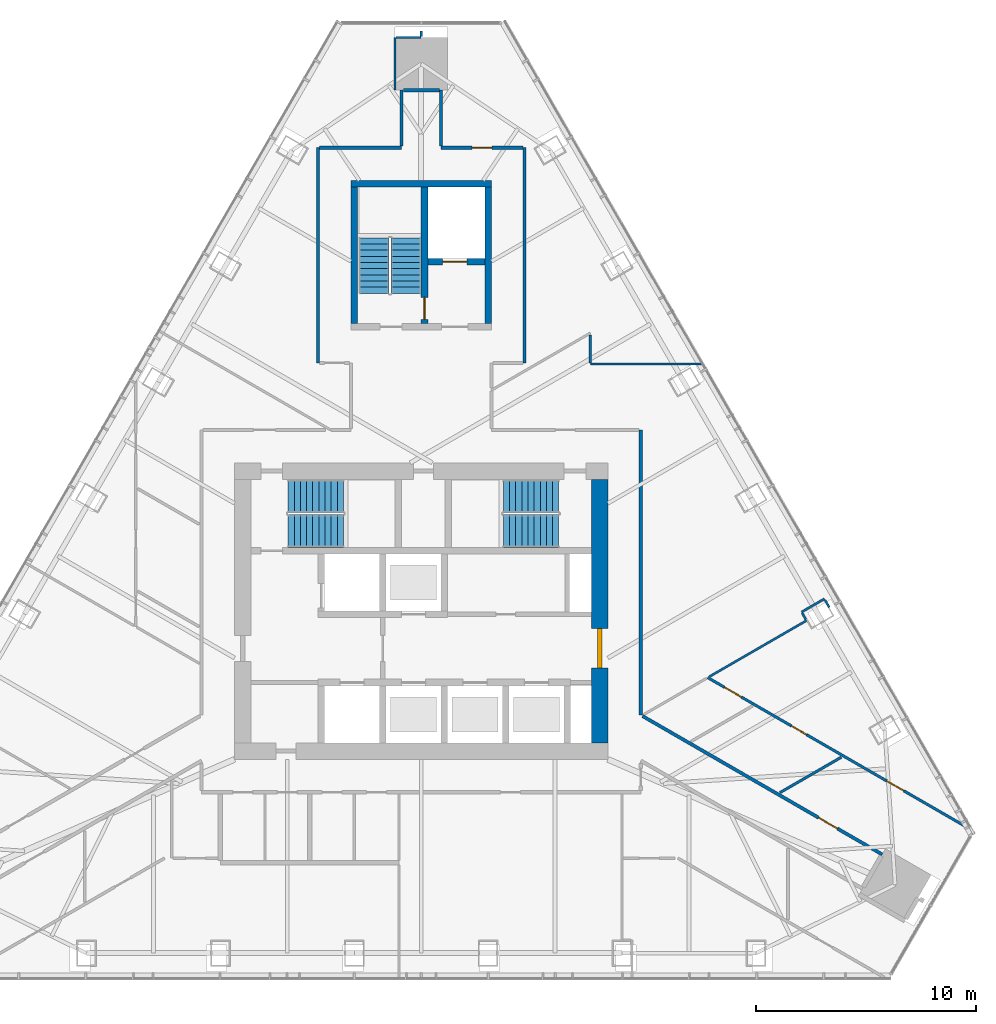
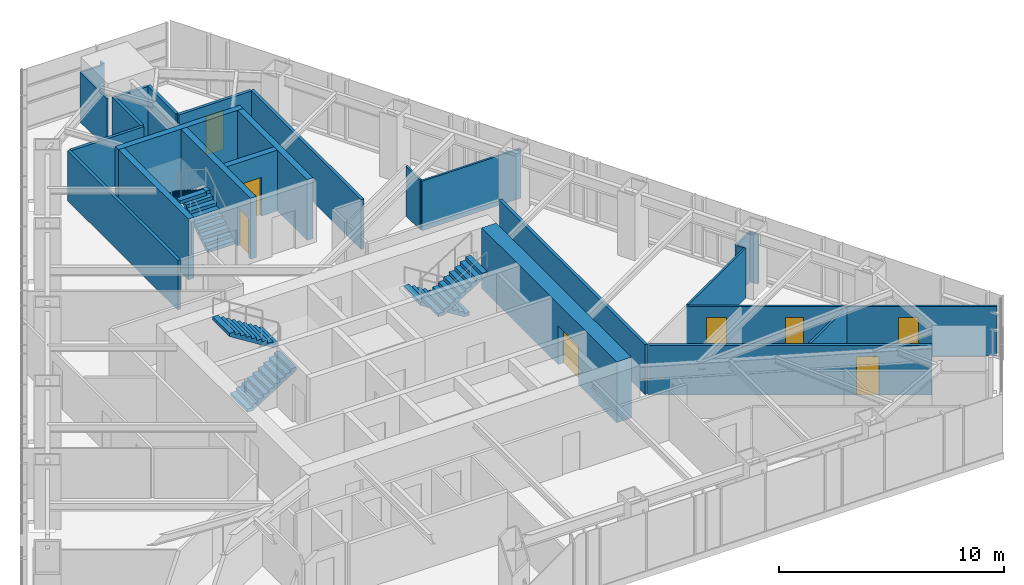
# One storey, part 16 of 18: 26 walls, 8 doors, 6 stair flights, 8 openings, 3 elements without a shape of their own.
"""IFC4 building model written with IfcOpenShell, lengths in metres."""

from ifc_helpers import new_model, si_unit, direction, frame, frame_2d, origin, place, context, subcontext, project, spatial, polyline, rectangle, outline, extrude, material, layer, layer_set, type_object, element, fill, aggregate, save


model = new_model("IFC4")

# Units and contexts
model_context = context("Model", 3, precision=1e-05, world=origin(), true_north=direction((0.0, 1.0)))
body_context = subcontext(model_context, "Body", "Model", "MODEL_VIEW")
ifc_project = project(units=[si_unit("LENGTHUNIT", "METRE"), si_unit("AREAUNIT", "SQUARE_METRE"), si_unit("VOLUMEUNIT", "CUBIC_METRE"), si_unit("PLANEANGLEUNIT", "RADIAN"), si_unit("MASSUNIT", "GRAM", prefix="KILO")], contexts=[model_context])

# Site, building, storey
site_placement = place(None, origin())
site = spatial("IfcSite", under=ifc_project, at=site_placement, CompositionType="ELEMENT")
building_placement = place(site_placement, origin())
building = spatial("IfcBuilding", under=site, at=building_placement, Name="Firuza Gate Tower and Library", CompositionType="ELEMENT")
storey_placement = place(building_placement, frame((0.0, 0.0, 298.60009765625)))
storey = spatial("IfcBuildingStorey", under=building, at=storey_placement, Name="L72", CompositionType="ELEMENT", Elevation=298.60009765625)

# Walls
ifc_material_1 = material(Name="Concrete C60/75", Category="concrete")
ifc_layer_1 = layer(ifc_material_1, 0.300048828125)
ifc_layer_set_1 = layer_set([ifc_layer_1], Name="Core wall 300 C60/75")
wall_type_1 = type_object("IfcWallType", Name="Core wall 300 C60/75", PredefinedType="SHEAR", material=ifc_layer_set_1)
wall_1_placement = place(storey_placement, frame((71.800048828125, 94.449951171875, 0.0), z_axis=(0.0, 0.0, 1.0), x_axis=(1.0, 0.0, 0.0)))
element("IfcWall", 1, at=wall_1_placement, inside=storey, type_object=wall_type_1, Name="Core wall L72 19", PredefinedType="SHEAR", context=body_context, shape_type="SweptSolid", body=[
    extrude(rectangle(XDim=6.39990234375, YDim=0.300048828125, at=frame_2d((3.199951171875, 0.0))), origin(), (0.0, 0.0, 1.0), 3.2998046875),
])
for number, where, z_axis, x_axis, name in (
    (2, (71.949951171875, 88.10009765625, 0.0), (0.0, 0.0, 1.0), (0.0, 1.0, 0.0), "Core wall L72 20"),
    (3, (78.050048828125, 88.10009765625, 0.0), (0.0, 0.0, 1.0), (0.0, 1.0, 0.0), "Core wall L72 21"),
):
    element("IfcWall", number, at=place(storey_placement, frame(where, z_axis=z_axis, x_axis=x_axis)), inside=storey, type_object=wall_type_1, Name=name, PredefinedType="SHEAR", context=body_context, shape_type="SweptSolid", body=[
        extrude(rectangle(XDim=6.199951171875, YDim=0.300048828125, at=frame_2d((3.10009765625, 0.0))), origin(), (0.0, 0.0, 1.0), 3.2998046875),
    ])

# Wall, opening, door
wall_2_placement = place(storey_placement, frame((75.300048828125, 90.89990234375, 0.0), z_axis=(0.0, 0.0, 1.0), x_axis=(1.0, 0.0, 0.0)))
wall_2 = element("IfcWall", 4, at=wall_2_placement, inside=storey, type_object=wall_type_1, Name="Core wall L72 22", PredefinedType="SHEAR", context=body_context, shape_type="SweptSolid", body=[
    extrude(rectangle(XDim=2.599853515625, YDim=0.300048828125, at=frame_2d((1.2998046875, 0.0))), origin(), (0.0, 0.0, 1.0), 3.2998046875),
])
opening_1_placement = place(wall_2_placement, frame((0.675048828125, 0.0, 0.0)))
opening_1 = element("IfcOpeningElement", 5, at=opening_1_placement, cuts=wall_2, Name="Opening LD-SV1-L72", PredefinedType="OPENING", context=body_context, shape_type="SweptSolid", body=[
    extrude(rectangle(XDim=1.10009765625, YDim=2.10009765625, at=frame_2d((0.550048828125, 1.050048828125))), frame((0.0, 0.16015625, 0.0), z_axis=(0.0, -1.0, 0.0), x_axis=(1.0, 0.0, 0.0)), (0.0, 0.0, 1.0), 0.320068359375),
])
ifc_material_2 = material(Name="Stainless steel", Category="steel")
door_type_1 = type_object("IfcDoorType", Name="Lift landing door 1100x2100", OperationType="DOUBLE_DOOR_SLIDING", PredefinedType="DOOR", material=ifc_material_2)
door_1_placement = place(opening_1_placement, origin())
door_1 = element("IfcDoor", 6, at=door_1_placement, inside=storey, type_object=door_type_1, Name="Landing door SV1 L72", OperationType="DOUBLE_DOOR_SLIDING", OverallHeight=2.10009765625, OverallWidth=1.10009765625, PredefinedType="DOOR", context=body_context, shape_type="SweptSolid", body=[
    extrude(rectangle(XDim=1.10009765625, YDim=2.10009765625, at=frame_2d((0.550048828125, 1.050048828125))), frame((0.0, 0.02490234375, 0.0), z_axis=(0.0, -1.0, 0.0), x_axis=(1.0, 0.0, 0.0)), (0.0, 0.0, 1.0), 0.050048828125),
])
fill(opening_1, door_1)

wall_3_placement = place(storey_placement, frame((75.14990234375, 88.10009765625, 0.0), z_axis=(0.0, 0.0, 1.0), x_axis=(0.0, 1.0, 0.0)))
wall_3 = element("IfcWall", 7, at=wall_3_placement, inside=storey, type_object=wall_type_1, Name="Core wall L72 23", PredefinedType="SHEAR", context=body_context, shape_type="SweptSolid", body=[
    extrude(rectangle(XDim=6.199951171875, YDim=0.300048828125, at=frame_2d((3.10009765625, 0.0))), origin(), (0.0, 0.0, 1.0), 3.2998046875),
])
opening_2_placement = place(wall_3_placement, frame((0.18505859375, 0.0, 0.0)))
opening_2 = element("IfcOpeningElement", 8, at=opening_2_placement, cuts=wall_3, Name="Opening L72-K12", PredefinedType="OPENING", context=body_context, shape_type="SweptSolid", body=[
    extrude(rectangle(XDim=1.0, YDim=2.10009765625, at=frame_2d((0.5, 1.050048828125))), frame((0.0, 0.16015625, 0.0), z_axis=(0.0, -1.0, 0.0), x_axis=(1.0, 0.0, 0.0)), (0.0, 0.0, 1.0), 0.320068359375),
])
ifc_material_3 = material(Name="Steel", Category="steel")
door_type_2 = type_object("IfcDoorType", Name="Fire door 1000x2100 FD90", OperationType="NOTDEFINED", PredefinedType="DOOR", material=ifc_material_3)
door_2_placement = place(opening_2_placement, origin())
door_2 = element("IfcDoor", 9, at=door_2_placement, inside=storey, type_object=door_type_2, Name="Door L72-K12", OperationType="SINGLE_SWING_LEFT", OverallHeight=2.10009765625, OverallWidth=1.0, PredefinedType="DOOR", context=body_context, shape_type="SweptSolid", body=[
    extrude(rectangle(XDim=1.0, YDim=2.10009765625, at=frame_2d((0.5, 1.050048828125))), frame((0.0, 0.02490234375, 0.0), z_axis=(0.0, -1.0, 0.0), x_axis=(1.0, 0.0, 0.0)), (0.0, 0.0, 1.0), 0.050048828125),
])
fill(opening_2, door_2)

ifc_material_4 = material(Name="Concrete C60/75", Category="concrete")
ifc_layer_2 = layer(ifc_material_4, 0.75)
ifc_layer_set_2 = layer_set([ifc_layer_2], Name="Core wall 750 C60/75")
wall_type_2 = type_object("IfcWallType", Name="Core wall 750 C60/75", PredefinedType="SHEAR", material=ifc_layer_set_2)
wall_4_placement = place(storey_placement, frame((83.125, 69.0, 0.0), z_axis=(0.0, 0.0, 1.0), x_axis=(0.0, 1.0, 0.0)))
wall_4 = element("IfcWall", 10, at=wall_4_placement, inside=storey, type_object=wall_type_2, Name="Core wall L72 4", PredefinedType="SHEAR", context=body_context, shape_type="SweptSolid", body=[
    extrude(rectangle(XDim=12.0, YDim=0.75, at=frame_2d((6.0, 0.0))), origin(), (0.0, 0.0, 1.0), 3.2998046875),
])
opening_3_placement = place(wall_4_placement, frame((3.39990234375, 0.0, 0.0)))
opening_3 = element("IfcOpeningElement", 11, at=opening_3_placement, cuts=wall_4, Name="Opening L72-K16", PredefinedType="OPENING", context=body_context, shape_type="SweptSolid", body=[
    extrude(rectangle(XDim=1.800048828125, YDim=2.10009765625, at=frame_2d((0.89990234375, 1.050048828125))), frame((0.0, 0.385009765625, 0.0), z_axis=(0.0, -1.0, 0.0), x_axis=(1.0, 0.0, 0.0)), (0.0, 0.0, 1.0), 0.77001953125),
])
ifc_material_5 = material(Name="Steel", Category="steel")
door_type_3 = type_object("IfcDoorType", Name="Fire door 1800x2100 FD30S", OperationType="NOTDEFINED", PredefinedType="DOOR", material=ifc_material_5)
door_3_placement = place(opening_3_placement, origin())
door_3 = element("IfcDoor", 12, at=door_3_placement, inside=storey, type_object=door_type_3, Name="Door L72-K16", OperationType="SINGLE_SWING_LEFT", OverallHeight=2.10009765625, OverallWidth=1.800048828125, PredefinedType="DOOR", context=body_context, shape_type="SweptSolid", body=[
    extrude(rectangle(XDim=1.800048828125, YDim=2.10009765625, at=frame_2d((0.89990234375, 1.050048828125))), frame((0.0, 0.094970703125, 0.0), z_axis=(0.0, -1.0, 0.0), x_axis=(1.0, 0.0, 0.0)), (0.0, 0.0, 1.0), 0.18994140625),
])
fill(opening_3, door_3)

# Wall
ifc_material_6 = material(Name="Gypsum board partition")
ifc_layer_3 = layer(ifc_material_6, 0.14990234375)
ifc_layer_set_3 = layer_set([ifc_layer_3], Name="Corridor wall 150 double board on steel studs")
wall_type_3 = type_object("IfcWallType", Name="Corridor wall 150 double board on steel studs", PredefinedType="PARTITIONING", material=ifc_layer_set_3)
wall_5_placement = place(storey_placement, frame((70.376953125, 96.10009765625, 0.0), z_axis=(0.0, 0.0, 1.0), x_axis=(1.0, 0.0, 0.0)))
element("IfcWall", 13, at=wall_5_placement, inside=storey, type_object=wall_type_3, Name="f:L72:w010", PredefinedType="PARTITIONING", context=body_context, shape_type="SweptSolid", body=[
    extrude(rectangle(XDim=3.722900390625, YDim=0.14990234375, at=frame_2d((1.861328125, 0.0))), origin(), (0.0, 0.0, 1.0), 2.699951171875),
])

# Wall, opening, door
wall_6_placement = place(storey_placement, frame((79.62451171875, 96.10009765625, 0.0), z_axis=(0.0, 0.0, 1.0), x_axis=(-1.0, 0.0, 0.0)))
wall_6 = element("IfcWall", 14, at=wall_6_placement, inside=storey, type_object=wall_type_3, Name="f:L72:w011", PredefinedType="PARTITIONING", context=body_context, shape_type="SweptSolid", body=[
    extrude(rectangle(XDim=3.724365234375, YDim=0.14990234375, at=frame_2d((1.8623046875, 0.0))), origin(), (0.0, 0.0, 1.0), 2.699951171875),
])
opening_4_placement = place(wall_6_placement, frame((1.412109375, 0.0, 0.0)))
opening_4 = element("IfcOpeningElement", 15, at=opening_4_placement, cuts=wall_6, Name="Opening L72-11", PredefinedType="OPENING", context=body_context, shape_type="SweptSolid", body=[
    extrude(rectangle(XDim=0.89990234375, YDim=2.10009765625, at=frame_2d((0.449951171875, 1.050048828125))), frame((0.0, 0.0849609375, 0.0), z_axis=(0.0, -1.0, 0.0), x_axis=(1.0, 0.0, 0.0)), (0.0, 0.0, 1.0), 0.169921875),
])
ifc_material_7 = material(Name="Steel door and timber leaf", Category="steel")
door_type_4 = type_object("IfcDoorType", Name="Fire door 900 x 2100 steel frame, timber leaf", OperationType="NOTDEFINED", PredefinedType="DOOR", material=ifc_material_7)
door_4_placement = place(opening_4_placement, origin())
door_4 = element("IfcDoor", 16, at=door_4_placement, inside=storey, type_object=door_type_4, Name="f:L72:d011", OperationType="SINGLE_SWING_LEFT", OverallHeight=2.10009765625, OverallWidth=0.89990234375, PredefinedType="DOOR", context=body_context, shape_type="SweptSolid", body=[
    extrude(rectangle(XDim=0.89990234375, YDim=2.10009765625, at=frame_2d((0.449951171875, 1.050048828125))), frame((0.0, 0.02490234375, 0.0), z_axis=(0.0, -1.0, 0.0), x_axis=(1.0, 0.0, 0.0)), (0.0, 0.0, 1.0), 0.050048828125),
])
fill(opening_4, door_4)

# Walls
wall_7_placement = place(storey_placement, frame((74.18212890625, 98.715087890625, 0.0), z_axis=(0.0, 0.0, 1.0), x_axis=(1.0, 0.0, 0.0)))
element("IfcWall", 17, at=wall_7_placement, inside=storey, type_object=wall_type_3, Name="f:L72:w012", PredefinedType="PARTITIONING", context=body_context, shape_type="SweptSolid", body=[
    extrude(rectangle(XDim=1.642333984375, YDim=0.14990234375, at=frame_2d((0.8212890625, 0.0))), origin(), (0.0, 0.0, 1.0), 2.697021484375),
])
wall_8_placement = place(storey_placement, frame((85.0, 70.265869140625, 0.0), z_axis=(0.0, 0.0, 1.0), x_axis=(0.0, 1.0, 0.0)))
element("IfcWall", 18, at=wall_8_placement, inside=storey, type_object=wall_type_3, Name="f:L72:w029", PredefinedType="PARTITIONING", context=body_context, shape_type="SweptSolid", body=[
    extrude(rectangle(XDim=12.982177734375, YDim=0.14990234375, at=frame_2d((6.4912109375, 0.0))), origin(), (0.0, 0.0, 1.0), 2.699951171875),
])
wall_9_placement = place(storey_placement, frame((79.699951171875, 86.300537109375, 0.0), z_axis=(0.0, 0.0, 1.0), x_axis=(0.0, 1.0, 0.0)))
element("IfcWall", 19, at=wall_9_placement, inside=storey, type_object=wall_type_3, Name="f:L72:w033", PredefinedType="PARTITIONING", context=body_context, shape_type="SweptSolid", body=[
    extrude(rectangle(XDim=9.798828125, YDim=0.14990234375, at=frame_2d((4.8994140625, 0.0))), origin(), (0.0, 0.0, 1.0), 2.699951171875),
])
wall_10_placement = place(storey_placement, frame((75.89990234375, 96.175048828125, 0.0), z_axis=(0.0, 0.0, 1.0), x_axis=(0.0, 1.0, 0.0)))
element("IfcWall", 20, at=wall_10_placement, inside=storey, type_object=wall_type_3, Name="f:L72:w035", PredefinedType="PARTITIONING", context=body_context, shape_type="SweptSolid", body=[
    extrude(rectangle(XDim=2.53955078125, YDim=0.14990234375, at=frame_2d((1.269775390625, 0.0))), origin(), (0.0, 0.0, 1.0), 2.699951171875),
])
wall_11_placement = place(storey_placement, frame((74.10009765625, 96.175048828125, 0.0), z_axis=(0.0, 0.0, 1.0), x_axis=(0.0, 1.0, 0.0)))
element("IfcWall", 21, at=wall_11_placement, inside=storey, type_object=wall_type_3, Name="f:L72:w037", PredefinedType="PARTITIONING", context=body_context, shape_type="SweptSolid", body=[
    extrude(rectangle(XDim=2.5400390625, YDim=0.14990234375, at=frame_2d((1.27001953125, 0.0))), origin(), (0.0, 0.0, 1.0), 2.699951171875),
])
wall_12_placement = place(storey_placement, frame((70.300048828125, 86.302001953125, 0.0), z_axis=(0.0, 0.0, 1.0), x_axis=(0.0, 1.0, 0.0)))
element("IfcWall", 22, at=wall_12_placement, inside=storey, type_object=wall_type_3, Name="f:L72:w042", PredefinedType="PARTITIONING", context=body_context, shape_type="SweptSolid", body=[
    extrude(rectangle(XDim=9.7958984375, YDim=0.14990234375, at=frame_2d((4.89794921875, 0.0))), origin(), (0.0, 0.0, 1.0), 2.699951171875),
])

# Wall, opening, door
wall_13_placement = place(storey_placement, frame((85.0751953125, 70.222412109375, 0.0), z_axis=(0.0, 0.0, 1.0), x_axis=(0.866023935413, -0.500002543286, 0.0)))
wall_13 = element("IfcWall", 23, at=wall_13_placement, inside=storey, type_object=wall_type_3, Name="f:L72:w057", PredefinedType="PARTITIONING", context=body_context, shape_type="SweptSolid", body=[
    extrude(rectangle(XDim=12.6005859375, YDim=0.14990234375, at=frame_2d((6.30029296875, 0.0))), origin(), (0.0, 0.0, 1.0), 2.699951171875),
])
opening_5_placement = place(wall_13_placement, frame((9.24853515625, 0.0, 0.0)))
opening_5 = element("IfcOpeningElement", 24, at=opening_5_placement, cuts=wall_13, Name="Opening L72-24", PredefinedType="OPENING", context=body_context, shape_type="SweptSolid", body=[
    extrude(rectangle(XDim=1.0, YDim=2.10009765625, at=frame_2d((0.5, 1.050048828125))), frame((0.0, 0.0849609375, 0.0), z_axis=(0.0, -1.0, 0.0), x_axis=(1.0, 0.0, 0.0)), (0.0, 0.0, 1.0), 0.169921875),
])
ifc_material_8 = material(Name="Steel door and timber leaf", Category="steel")
door_type_5 = type_object("IfcDoorType", Name="Fire door 1000 x 2100 steel frame, timber leaf", OperationType="NOTDEFINED", PredefinedType="DOOR", material=ifc_material_8)
door_5_placement = place(opening_5_placement, origin())
door_5 = element("IfcDoor", 25, at=door_5_placement, inside=storey, type_object=door_type_5, Name="f:L72:d024", OperationType="SINGLE_SWING_RIGHT", OverallHeight=2.10009765625, OverallWidth=1.0, PredefinedType="DOOR", context=body_context, shape_type="SweptSolid", body=[
    extrude(rectangle(XDim=1.0, YDim=2.10009765625, at=frame_2d((0.5, 1.050048828125))), frame((0.0, 0.02490234375, 0.0), z_axis=(0.0, -1.0, 0.0), x_axis=(1.0, 0.0, 0.0)), (0.0, 0.0, 1.0), 0.050048828125),
])
fill(opening_5, door_5)

# Walls
ifc_material_9 = material(Name="Gypsum board partition")
ifc_layer_4 = layer(ifc_material_9, 0.10009765625)
ifc_layer_set_4 = layer_set([ifc_layer_4], Name="Partition 100 gypsum board on steel studs")
wall_type_4 = type_object("IfcWallType", Name="Partition 100 gypsum board on steel studs", PredefinedType="PARTITIONING", material=ifc_layer_set_4)
wall_14_placement = place(storey_placement, frame((82.701904296875, 86.25, 0.0), z_axis=(0.0, 0.0, 1.0), x_axis=(1.0, 0.0, 0.0)))
element("IfcWall", 26, at=wall_14_placement, inside=storey, type_object=wall_type_4, Name="f:L72:w007", PredefinedType="PARTITIONING", context=body_context, shape_type="SweptSolid", body=[
    extrude(rectangle(XDim=5.057861328125, YDim=0.10009765625, at=frame_2d((2.52880859375, 0.0))), origin(), (0.0, 0.0, 1.0), 2.68798828125),
])
wall_15_placement = place(storey_placement, frame((73.85205078125, 101.114990234375, 0.0), z_axis=(0.0, 0.0, 1.0), x_axis=(1.0, 0.0, 0.0)))
element("IfcWall", 27, at=wall_15_placement, inside=storey, type_object=wall_type_4, Name="f:L72:w013", PredefinedType="PARTITIONING", context=body_context, shape_type="SweptSolid", body=[
    extrude(rectangle(XDim=1.14794921875, YDim=0.10009765625, at=frame_2d((0.573974609375, 0.0))), origin(), (0.0, 0.0, 1.0), 2.699951171875),
])
wall_16_placement = place(storey_placement, frame((92.317626953125, 74.95947265625, 0.0), z_axis=(0.0, 0.0, 1.0), x_axis=(0.866087020037, 0.499893262331, 0.0)))
element("IfcWall", 28, at=wall_16_placement, inside=storey, type_object=wall_type_4, Name="f:L72:w017", PredefinedType="PARTITIONING", context=body_context, shape_type="SweptSolid", body=[
    extrude(rectangle(XDim=1.196044921875, YDim=0.10009765625, at=frame_2d((0.59814453125, 0.0))), origin(), (0.0, 0.0, 1.0), 2.68798828125),
])
wall_17_placement = place(storey_placement, frame((82.699951171875, 86.302001953125, 0.0), z_axis=(0.0, 0.0, 1.0), x_axis=(0.0, 1.0, 0.0)))
element("IfcWall", 29, at=wall_17_placement, inside=storey, type_object=wall_type_4, Name="f:L72:w032", PredefinedType="PARTITIONING", context=body_context, shape_type="SweptSolid", body=[
    extrude(rectangle(XDim=1.26708984375, YDim=0.10009765625, at=frame_2d((0.633544921875, 0.0))), origin(), (0.0, 0.0, 1.0), 2.699951171875),
])
wall_18_placement = place(storey_placement, frame((75.0, 101.165283203125, 0.0), z_axis=(0.0, 0.0, 1.0), x_axis=(0.0, 1.0, 0.0)))
element("IfcWall", 30, at=wall_18_placement, inside=storey, type_object=wall_type_4, Name="f:L72:w036", PredefinedType="PARTITIONING", context=body_context, shape_type="SweptSolid", body=[
    extrude(rectangle(XDim=0.249755859375, YDim=0.10009765625, at=frame_2d((0.125, 0.0))), origin(), (0.0, 0.0, 1.0), 2.699951171875),
])
wall_19_placement = place(storey_placement, frame((73.800048828125, 98.71728515625, 0.0), z_axis=(0.0, 0.0, 1.0), x_axis=(0.0, 1.0, 0.0)))
element("IfcWall", 31, at=wall_19_placement, inside=storey, type_object=wall_type_4, Name="f:L72:w039", PredefinedType="PARTITIONING", context=body_context, shape_type="SweptSolid", body=[
    extrude(rectangle(XDim=2.395751953125, YDim=0.10009765625, at=frame_2d((1.19775390625, 0.0))), origin(), (0.0, 0.0, 1.0), 2.699951171875),
])
wall_20_placement = place(storey_placement, frame((93.580078125, 75.168701171875, 0.0), z_axis=(0.0, 0.0, 1.0), x_axis=(-0.500153222552, 0.865936922628, 0.0)))
element("IfcWall", 32, at=wall_20_placement, inside=storey, type_object=wall_type_4, Name="f:L72:w051", PredefinedType="PARTITIONING", context=body_context, shape_type="SweptSolid", body=[
    extrude(rectangle(XDim=0.392578125, YDim=0.10009765625, at=frame_2d((0.1962890625, 0.0))), origin(), (0.0, 0.0, 1.0), 2.699951171875),
])
wall_21_placement = place(storey_placement, frame((92.5107421875, 74.62060546875, 0.0), z_axis=(0.0, 0.0, 1.0), x_axis=(-0.499868360126, 0.866101392762, 0.0)))
element("IfcWall", 33, at=wall_21_placement, inside=storey, type_object=wall_type_4, Name="f:L72:w052", PredefinedType="PARTITIONING", context=body_context, shape_type="SweptSolid", body=[
    extrude(rectangle(XDim=0.337890625, YDim=0.10009765625, at=frame_2d((0.1689453125, 0.0))), origin(), (0.0, 0.0, 1.0), 2.699951171875),
])
wall_22_placement = place(storey_placement, frame((88.12890625, 72.021484375, 0.0), z_axis=(0.0, 0.0, 1.0), x_axis=(0.866010809447, 0.500025277282, 0.0)))
element("IfcWall", 34, at=wall_22_placement, inside=storey, type_object=wall_type_4, Name="f:L72:w069", PredefinedType="PARTITIONING", context=body_context, shape_type="SweptSolid", body=[
    extrude(rectangle(XDim=5.094482421875, YDim=0.10009765625, at=frame_2d((2.54736328125, 0.0))), origin(), (0.0, 0.0, 1.0), 2.699951171875),
])
ifc_material_10 = material(Name="Gypsum board partition")
ifc_layer_5 = layer(ifc_material_10, 0.1201171875)
ifc_layer_set_5 = layer_set([ifc_layer_5], Name="Wet-area partition 120 moisture-resistant board")
wall_type_5 = type_object("IfcWallType", Name="Wet-area partition 120 moisture-resistant board", PredefinedType="PARTITIONING", material=ifc_layer_set_5)
wall_23_placement = place(storey_placement, frame((91.333251953125, 66.735595703125, 0.0), z_axis=(0.0, 0.0, 1.0), x_axis=(0.86605210011, 0.499953757757, 0.0)))
element("IfcWall", 35, at=wall_23_placement, inside=storey, type_object=wall_type_5, Name="f:L72:w014", PredefinedType="PARTITIONING", context=body_context, shape_type="SweptSolid", body=[
    extrude(rectangle(XDim=3.228271484375, YDim=0.1201171875, at=frame_2d((1.6142578125, 0.0))), origin(), (0.0, 0.0, 1.0), 2.699951171875),
])

# Wall, openings, doors
wall_24_placement = place(storey_placement, frame((99.982421875, 65.079833984375, 0.0), z_axis=(0.0, 0.0, 1.0), x_axis=(-0.86602868724, 0.499994312846, 0.0)))
wall_24 = element("IfcWall", 36, at=wall_24_placement, inside=storey, type_object=wall_type_5, Name="f:L72:w056", PredefinedType="PARTITIONING", context=body_context, shape_type="SweptSolid", body=[
    extrude(rectangle(XDim=13.785400390625, YDim=0.1201171875, at=frame_2d((6.892578125, 0.0))), origin(), (0.0, 0.0, 1.0), 2.699951171875),
])
opening_6_placement = place(wall_24_placement, frame((3.4765625, 0.0, 0.0)))
opening_6 = element("IfcOpeningElement", 37, at=opening_6_placement, cuts=wall_24, Name="Opening L72-21", PredefinedType="OPENING", context=body_context, shape_type="SweptSolid", body=[
    extrude(rectangle(XDim=0.89990234375, YDim=2.10009765625, at=frame_2d((0.449951171875, 1.050048828125))), frame((0.0, 0.070068359375, 0.0), z_axis=(0.0, -1.0, 0.0), x_axis=(1.0, 0.0, 0.0)), (0.0, 0.0, 1.0), 0.14013671875),
])
opening_7_placement = place(wall_24_placement, frame((8.5830078125, 0.0, 0.0)))
opening_7 = element("IfcOpeningElement", 38, at=opening_7_placement, cuts=wall_24, Name="Opening L72-22", PredefinedType="OPENING", context=body_context, shape_type="SweptSolid", body=[
    extrude(rectangle(XDim=0.800048828125, YDim=2.10009765625, at=frame_2d((0.39990234375, 1.050048828125))), frame((0.0, 0.070068359375, 0.0), z_axis=(0.0, -1.0, 0.0), x_axis=(1.0, 0.0, 0.0)), (0.0, 0.0, 1.0), 0.14013671875),
])
opening_8_placement = place(wall_24_placement, frame((12.000732421875, 0.0, 0.0)))
opening_8 = element("IfcOpeningElement", 39, at=opening_8_placement, cuts=wall_24, Name="Opening L72-23", PredefinedType="OPENING", context=body_context, shape_type="SweptSolid", body=[
    extrude(rectangle(XDim=0.89990234375, YDim=2.10009765625, at=frame_2d((0.449951171875, 1.050048828125))), frame((0.0, 0.070068359375, 0.0), z_axis=(0.0, -1.0, 0.0), x_axis=(1.0, 0.0, 0.0)), (0.0, 0.0, 1.0), 0.14013671875),
])
ifc_material_11 = material(Name="Timber door", Category="wood")
door_type_6 = type_object("IfcDoorType", Name="Door 800 x 2100 timber leaf", OperationType="NOTDEFINED", PredefinedType="DOOR", material=ifc_material_11)
door_6_placement = place(opening_7_placement, origin())
door_6 = element("IfcDoor", 40, at=door_6_placement, inside=storey, type_object=door_type_6, Name="f:L72:d022", OperationType="SINGLE_SWING_RIGHT", OverallHeight=2.10009765625, OverallWidth=0.800048828125, PredefinedType="DOOR", context=body_context, shape_type="SweptSolid", body=[
    extrude(rectangle(XDim=0.800048828125, YDim=2.10009765625, at=frame_2d((0.39990234375, 1.050048828125))), frame((0.0, 0.02490234375, 0.0), z_axis=(0.0, -1.0, 0.0), x_axis=(1.0, 0.0, 0.0)), (0.0, 0.0, 1.0), 0.050048828125),
])
fill(opening_7, door_6)
ifc_material_12 = material(Name="Timber door", Category="wood")
door_type_7 = type_object("IfcDoorType", Name="Door 900 x 2100 timber leaf", OperationType="NOTDEFINED", PredefinedType="DOOR", material=ifc_material_12)
door_7_placement = place(opening_6_placement, origin())
door_7 = element("IfcDoor", 41, at=door_7_placement, inside=storey, type_object=door_type_7, Name="f:L72:d021", OperationType="SINGLE_SWING_RIGHT", OverallHeight=2.10009765625, OverallWidth=0.89990234375, PredefinedType="DOOR", context=body_context, shape_type="SweptSolid", body=[
    extrude(rectangle(XDim=0.89990234375, YDim=2.10009765625, at=frame_2d((0.449951171875, 1.050048828125))), frame((0.0, 0.02490234375, 0.0), z_axis=(0.0, -1.0, 0.0), x_axis=(1.0, 0.0, 0.0)), (0.0, 0.0, 1.0), 0.050048828125),
])
fill(opening_6, door_7)
door_8_placement = place(opening_8_placement, origin())
door_8 = element("IfcDoor", 42, at=door_8_placement, inside=storey, type_object=door_type_7, Name="f:L72:d023", OperationType="SINGLE_SWING_LEFT", OverallHeight=2.10009765625, OverallWidth=0.89990234375, PredefinedType="DOOR", context=body_context, shape_type="SweptSolid", body=[
    extrude(rectangle(XDim=0.89990234375, YDim=2.10009765625, at=frame_2d((0.449951171875, 1.050048828125))), frame((0.0, 0.02490234375, 0.0), z_axis=(0.0, -1.0, 0.0), x_axis=(1.0, 0.0, 0.0)), (0.0, 0.0, 1.0), 0.050048828125),
])
fill(opening_8, door_8)

# Stair, stair flights
ifc_material_13 = material(Name="Concrete C35/45", Category="concrete")
stair_type_1 = type_object("IfcStairType", Name="Exit stair ST17", PredefinedType="HALF_TURN_STAIR", material=ifc_material_13)
placement = place(storey_placement, origin())
stair_1 = element("IfcStair", 43, at=placement, inside=storey, type_object=stair_type_1, Name="L72 Stair ST3", PredefinedType="HALF_TURN_STAIR")
ifc_material_14 = material(Name="Concrete C35/45", Category="concrete")
stair_flight_type_1 = type_object("IfcStairFlightType", Name="Stair flight 10 risers 175 width 1370", PredefinedType="STRAIGHT", material=ifc_material_14)
stair_flight_1_placement = place(storey_placement, frame((74.31494140625, 89.469970703125, 0.0), z_axis=(0.0, 0.0, 1.0), x_axis=(0.0, 1.0, 0.0)))
stair_flight_1 = element("IfcStairFlight", 44, at=stair_flight_1_placement, type_object=stair_flight_type_1, Name="ST3 flight 1", NumberOfRisers=10, NumberOfTreads=9, PredefinedType="STRAIGHT", RiserHeight=0.175, TreadLength=0.28, context=body_context, shape_type="SweptSolid", body=[
    extrude(outline(polyline([(0.0, 0.0), (0.0, 0.175048828125), (0.280029296875, 0.175048828125), (0.280029296875, 0.35009765625), (0.56005859375, 0.35009765625), (0.56005859375, 0.52490234375), (0.840087890625, 0.52490234375), (0.840087890625, 0.699951171875), (1.1201171875, 0.699951171875), (1.1201171875, 0.875), (1.39990234375, 0.875), (1.39990234375, 1.050048828125), (1.679931640625, 1.050048828125), (1.679931640625, 1.22509765625), (1.9599609375, 1.22509765625), (1.9599609375, 1.39990234375), (2.239990234375, 1.39990234375), (2.239990234375, 1.574951171875), (2.52001953125, 1.574951171875), (2.52001953125, 1.75), (2.52001953125, 1.398193359375), (0.28271484375, 0.0), (0.0, 0.0)])), frame((0.0, 0.68505859375, 0.0), z_axis=(0.0, -1.0, 0.0), x_axis=(1.0, 0.0, 0.0)), (0.0, 0.0, 1.0), 1.3701171875),
])
stair_flight_2_placement = place(storey_placement, frame((72.844970703125, 91.989990234375, 1.75), z_axis=(0.0, 0.0, 1.0), x_axis=(0.0, -1.0, 0.0)))
stair_flight_2 = element("IfcStairFlight", 45, at=stair_flight_2_placement, type_object=stair_flight_type_1, Name="ST3 flight 2", NumberOfRisers=10, NumberOfTreads=9, PredefinedType="STRAIGHT", RiserHeight=0.175, TreadLength=0.28, context=body_context, shape_type="SweptSolid", body=[
    extrude(outline(polyline([(0.0, 0.0), (0.0, 0.175048828125), (0.280029296875, 0.175048828125), (0.280029296875, 0.35009765625), (0.56005859375, 0.35009765625), (0.56005859375, 0.52490234375), (0.840087890625, 0.52490234375), (0.840087890625, 0.699951171875), (1.1201171875, 0.699951171875), (1.1201171875, 0.875), (1.39990234375, 0.875), (1.39990234375, 1.050048828125), (1.679931640625, 1.050048828125), (1.679931640625, 1.22509765625), (1.9599609375, 1.22509765625), (1.9599609375, 1.39990234375), (2.239990234375, 1.39990234375), (2.239990234375, 1.574951171875), (2.52001953125, 1.574951171875), (2.52001953125, 1.75), (2.52001953125, 1.398193359375), (0.28271484375, 0.0), (0.0, 0.0)])), frame((0.0, 0.68505859375, 0.0), z_axis=(0.0, -1.0, 0.0), x_axis=(1.0, 0.0, 0.0)), (0.0, 0.0, 1.0), 1.3701171875),
])
aggregate(stair_1, [stair_flight_1, stair_flight_2])

ifc_material_15 = material(Name="Concrete C35/45", Category="concrete")
stair_type_2 = type_object("IfcStairType", Name="Exit stair ST8", PredefinedType="HALF_TURN_STAIR", material=ifc_material_15)
stair_2 = element("IfcStair", 46, at=placement, inside=storey, type_object=stair_type_2, Name="L72 Stair ST1", PredefinedType="HALF_TURN_STAIR")
ifc_material_16 = material(Name="Concrete C35/45", Category="concrete")
stair_flight_type_2 = type_object("IfcStairFlightType", Name="Stair flight 10 risers 175 width 1490", PredefinedType="STRAIGHT", material=ifc_material_16)
stair_flight_3_placement = place(storey_placement, frame((68.93994140625, 78.64501953125, 0.0), z_axis=(0.0, 0.0, 1.0), x_axis=(1.0, 0.0, 0.0)))
stair_flight_3 = element("IfcStairFlight", 47, at=stair_flight_3_placement, type_object=stair_flight_type_2, Name="ST1 flight 1", NumberOfRisers=10, NumberOfTreads=9, PredefinedType="STRAIGHT", RiserHeight=0.175, TreadLength=0.28, context=body_context, shape_type="SweptSolid", body=[
    extrude(outline(polyline([(0.0, 0.0), (0.0, 0.175048828125), (0.280029296875, 0.175048828125), (0.280029296875, 0.35009765625), (0.56005859375, 0.35009765625), (0.56005859375, 0.52490234375), (0.840087890625, 0.52490234375), (0.840087890625, 0.699951171875), (1.1201171875, 0.699951171875), (1.1201171875, 0.875), (1.39990234375, 0.875), (1.39990234375, 1.050048828125), (1.679931640625, 1.050048828125), (1.679931640625, 1.22509765625), (1.9599609375, 1.22509765625), (1.9599609375, 1.39990234375), (2.239990234375, 1.39990234375), (2.239990234375, 1.574951171875), (2.52001953125, 1.574951171875), (2.52001953125, 1.75), (2.52001953125, 1.398193359375), (0.28271484375, 0.0), (0.0, 0.0)])), frame((0.0, 0.7451171875, 0.0), z_axis=(0.0, -1.0, 0.0), x_axis=(1.0, 0.0, 0.0)), (0.0, 0.0, 1.0), 1.489990234375),
])
stair_flight_4_placement = place(storey_placement, frame((71.4599609375, 80.235107421875, 1.75), z_axis=(0.0, 0.0, 1.0), x_axis=(-1.0, 0.0, 0.0)))
stair_flight_4 = element("IfcStairFlight", 48, at=stair_flight_4_placement, type_object=stair_flight_type_2, Name="ST1 flight 2", NumberOfRisers=10, NumberOfTreads=9, PredefinedType="STRAIGHT", RiserHeight=0.175, TreadLength=0.28, context=body_context, shape_type="SweptSolid", body=[
    extrude(outline(polyline([(0.0, 0.0), (0.0, 0.175048828125), (0.280029296875, 0.175048828125), (0.280029296875, 0.35009765625), (0.56005859375, 0.35009765625), (0.56005859375, 0.52490234375), (0.840087890625, 0.52490234375), (0.840087890625, 0.699951171875), (1.1201171875, 0.699951171875), (1.1201171875, 0.875), (1.39990234375, 0.875), (1.39990234375, 1.050048828125), (1.679931640625, 1.050048828125), (1.679931640625, 1.22509765625), (1.9599609375, 1.22509765625), (1.9599609375, 1.39990234375), (2.239990234375, 1.39990234375), (2.239990234375, 1.574951171875), (2.52001953125, 1.574951171875), (2.52001953125, 1.75), (2.52001953125, 1.398193359375), (0.28271484375, 0.0), (0.0, 0.0)])), frame((0.0, 0.7451171875, 0.0), z_axis=(0.0, -1.0, 0.0), x_axis=(1.0, 0.0, 0.0)), (0.0, 0.0, 1.0), 1.489990234375),
])
aggregate(stair_2, [stair_flight_3, stair_flight_4])

stair_3 = element("IfcStair", 49, at=placement, inside=storey, type_object=stair_type_2, Name="L72 Stair ST2", PredefinedType="HALF_TURN_STAIR")
stair_flight_5_placement = place(storey_placement, frame((81.260009765625, 80.235107421875, 0.0), z_axis=(0.0, 0.0, 1.0), x_axis=(-1.0, 0.0, 0.0)))
stair_flight_5 = element("IfcStairFlight", 50, at=stair_flight_5_placement, type_object=stair_flight_type_2, Name="ST2 flight 1", NumberOfRisers=10, NumberOfTreads=9, PredefinedType="STRAIGHT", RiserHeight=0.175, TreadLength=0.28, context=body_context, shape_type="SweptSolid", body=[
    extrude(outline(polyline([(0.0, 0.0), (0.0, 0.175048828125), (0.280029296875, 0.175048828125), (0.280029296875, 0.35009765625), (0.56005859375, 0.35009765625), (0.56005859375, 0.52490234375), (0.840087890625, 0.52490234375), (0.840087890625, 0.699951171875), (1.1201171875, 0.699951171875), (1.1201171875, 0.875), (1.39990234375, 0.875), (1.39990234375, 1.050048828125), (1.679931640625, 1.050048828125), (1.679931640625, 1.22509765625), (1.9599609375, 1.22509765625), (1.9599609375, 1.39990234375), (2.239990234375, 1.39990234375), (2.239990234375, 1.574951171875), (2.52001953125, 1.574951171875), (2.52001953125, 1.75), (2.52001953125, 1.398193359375), (0.28271484375, 0.0), (0.0, 0.0)])), frame((0.0, 0.7451171875, 0.0), z_axis=(0.0, -1.0, 0.0), x_axis=(1.0, 0.0, 0.0)), (0.0, 0.0, 1.0), 1.489990234375),
])
stair_flight_6_placement = place(storey_placement, frame((78.739990234375, 78.64501953125, 1.75), z_axis=(0.0, 0.0, 1.0), x_axis=(1.0, 0.0, 0.0)))
stair_flight_6 = element("IfcStairFlight", 51, at=stair_flight_6_placement, type_object=stair_flight_type_2, Name="ST2 flight 2", NumberOfRisers=10, NumberOfTreads=9, PredefinedType="STRAIGHT", RiserHeight=0.175, TreadLength=0.28, context=body_context, shape_type="SweptSolid", body=[
    extrude(outline(polyline([(0.0, 0.0), (0.0, 0.175048828125), (0.280029296875, 0.175048828125), (0.280029296875, 0.35009765625), (0.56005859375, 0.35009765625), (0.56005859375, 0.52490234375), (0.840087890625, 0.52490234375), (0.840087890625, 0.699951171875), (1.1201171875, 0.699951171875), (1.1201171875, 0.875), (1.39990234375, 0.875), (1.39990234375, 1.050048828125), (1.679931640625, 1.050048828125), (1.679931640625, 1.22509765625), (1.9599609375, 1.22509765625), (1.9599609375, 1.39990234375), (2.239990234375, 1.39990234375), (2.239990234375, 1.574951171875), (2.52001953125, 1.574951171875), (2.52001953125, 1.75), (2.52001953125, 1.398193359375), (0.28271484375, 0.0), (0.0, 0.0)])), frame((0.0, 0.7451171875, 0.0), z_axis=(0.0, -1.0, 0.0), x_axis=(1.0, 0.0, 0.0)), (0.0, 0.0, 1.0), 1.489990234375),
])
aggregate(stair_3, [stair_flight_5, stair_flight_6])

save(model, "model.ifc")
